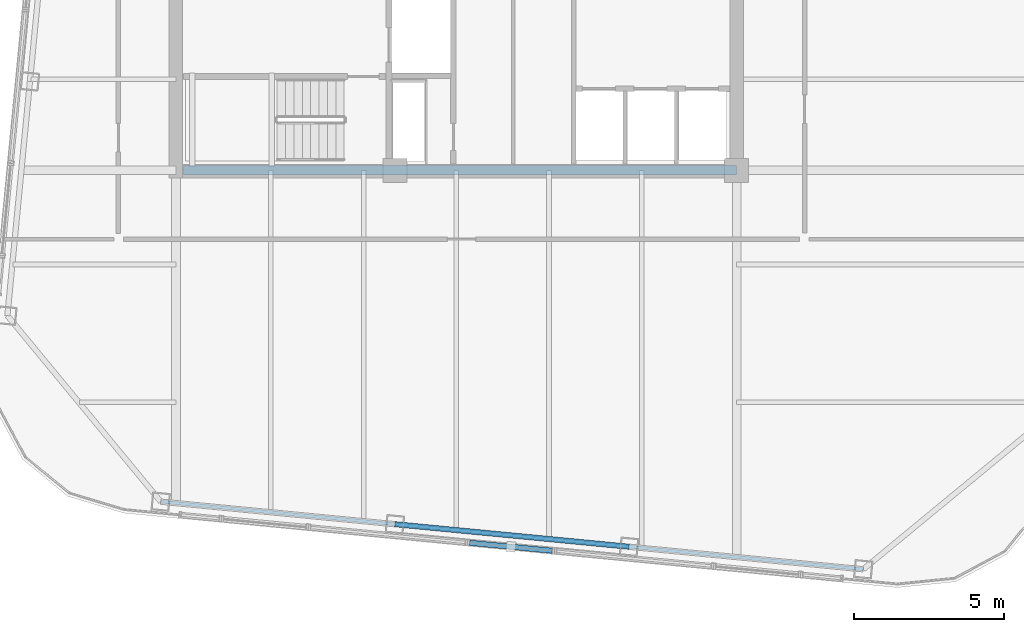
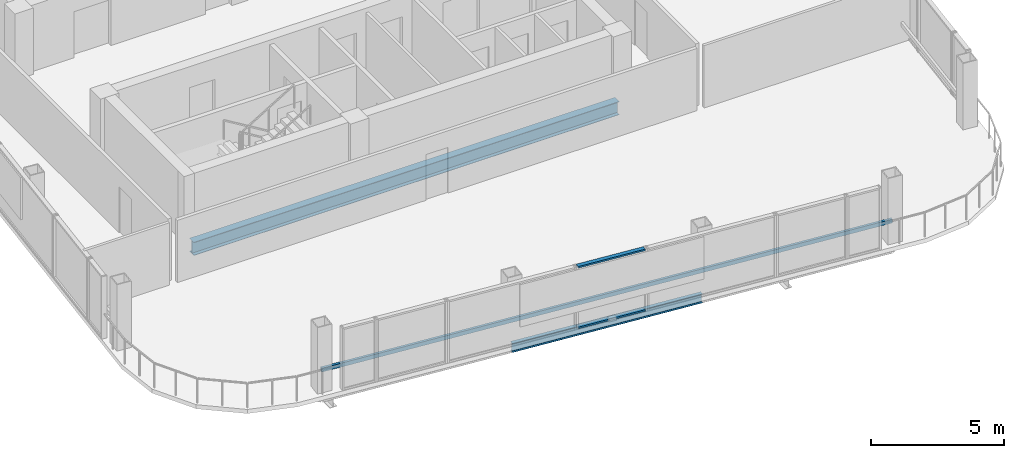
# One storey, part 4 of 26: 3 members, 2 beams, 1 element without a shape of its own.
"""IFC4 building model written with IfcOpenShell, lengths in metres."""

from ifc_helpers import new_model, si_unit, direction, frame, origin, origin_2d, place, context, subcontext, project, spatial, hollow_rectangle, i_section, extrude, material, layer, layer_set, material_profile, profile_set, type_object, element, aggregate, save


model = new_model("IFC4")

# Units and contexts
model_context = context("Model", 3, precision=1e-05, world=origin(), true_north=direction((0.0, 1.0)))
body_context = subcontext(model_context, "Body", "Model", "MODEL_VIEW")
ifc_project = project(units=[si_unit("LENGTHUNIT", "METRE"), si_unit("AREAUNIT", "SQUARE_METRE"), si_unit("VOLUMEUNIT", "CUBIC_METRE"), si_unit("PLANEANGLEUNIT", "RADIAN"), si_unit("MASSUNIT", "GRAM", prefix="KILO")], contexts=[model_context])

# Site, building, storey
site_placement = place(None, origin())
site = spatial("IfcSite", under=ifc_project, at=site_placement, CompositionType="ELEMENT")
building_placement = place(site_placement, origin())
building = spatial("IfcBuilding", under=site, at=building_placement, Name="Qhalaya Broadcast Tower", CompositionType="ELEMENT")
storey_placement = place(building_placement, frame((0.0, 0.0, 248.949951171875)))
storey = spatial("IfcBuildingStorey", under=building, at=storey_placement, Name="L73", CompositionType="ELEMENT", Elevation=248.949951171875)

# Beam
ifc_material_1 = material(Name="Structural Steel ASTM A992 Grade 50", Category="steel")
ifc_material_profile_1 = material_profile(ifc_material_1, i_section(OverallWidth=0.323974609375, OverallDepth=0.612060546875, WebThickness=0.0126953125, FlangeThickness=0.01904296875, at=origin_2d()), Name="W24X104")
ifc_profile_set_1 = profile_set([ifc_material_profile_1], Name="Structural Steel ASTM A992 Grade 50")
beam_type_1 = type_object("IfcBeamType", Name="Core Frame Tie Beam B04", PredefinedType="BEAM", material=ifc_profile_set_1)
beam_1_placement = place(storey_placement, frame((-9.1201171875, -8.75, -0.495849609375), z_axis=(1.0, 0.0, 0.0), x_axis=(0.0, 1.0, 0.0)))
element("IfcBeam", 1, at=beam_1_placement, inside=storey, type_object=beam_type_1, Name="L73 B04 L73-CCS3", PredefinedType="BEAM", context=body_context, shape_type="SweptSolid", body=[
    extrude(i_section(OverallWidth=0.323974609375, OverallDepth=0.612060546875, WebThickness=0.0126953125, FlangeThickness=0.01904296875, at=origin_2d()), origin(), (0.0, 0.0, 1.0), 18.4951171875),
])

# Member
ifc_material_2 = material(Name="Fired Architectural Terracotta", Category="masonry")
ifc_material_profile_2 = material_profile(ifc_material_2, hollow_rectangle(XDim=0.110107421875, YDim=0.179931640625, WallThickness=0.01806640625, at=origin_2d()), Name="TB-BAG 110x180x18")
ifc_profile_set_2 = profile_set([ifc_material_profile_2], Name="Fired Architectural Terracotta")
member_type_1 = type_object("IfcMemberType", Name="Fired Terracotta Facade Baguette Member TB1", PredefinedType="USERDEFINED", material=ifc_profile_set_2)
member_1_placement = place(storey_placement, frame((-9.883056640625, -19.82861328125, 0.858154296875), z_axis=(0.995397213397, -0.095835210452, 0.0), x_axis=(0.095835210452, 0.995397213397, 0.0)))
element("IfcMember", 2, at=member_1_placement, inside=storey, type_object=member_type_1, Name="L73 Terracotta Baguette Feature Rail S", ObjectType="BAGUETTE", PredefinedType="USERDEFINED", context=body_context, shape_type="SweptSolid", body=[
    extrude(hollow_rectangle(XDim=0.110107421875, YDim=0.179931640625, WallThickness=0.01806640625, at=origin_2d()), origin(), (0.0, 0.0, 1.0), 23.60009765625),
])

# Curtain wall, members
ifc_material_3 = material(Name="Solar-Control Low-E Triple Glazing", Category="glass")
ifc_layer = layer(ifc_material_3, 0.219970703125, Name="Solar-Control Low-E Triple Glazing")
ifc_layer_set = layer_set([ifc_layer], Name="Solar-Control Low-E Triple Glazing")
curtain_wall_type = type_object("IfcCurtainWallType", Name="High-Altitude Upper-Shaft Triple Low-E Curtain Wall CW-04", PredefinedType="NOTDEFINED", material=ifc_layer_set)
curtain_wall_placement = place(storey_placement, origin())
curtain_wall = element("IfcCurtainWall", 3, at=curtain_wall_placement, inside=storey, type_object=curtain_wall_type, Name="L73 Unitised Curtain Wall L73-CW-S4", PredefinedType="NOTDEFINED")
ifc_material_4 = material(Name="Anodised Aluminium 6063-T6", Category="aluminium")
ifc_material_profile_3 = material_profile(ifc_material_4, hollow_rectangle(XDim=0.074951171875, YDim=0.179931640625, WallThickness=0.00390625, at=origin_2d()), Name="ALU-TRN 75x180x4")
ifc_profile_set_3 = profile_set([ifc_material_profile_3], Name="Anodised Aluminium 6063-T6")
member_type_2 = type_object("IfcMemberType", Name="Unitised Curtain-Wall Transom T01", PredefinedType="USERDEFINED", material=ifc_profile_set_3)
member_2_placement = place(storey_placement, frame((0.445556640625, -21.204833984375, 0.03759765625), z_axis=(0.995396442999, -0.095843211886, 0.0), x_axis=(0.0, 0.0, 1.0)))
member_2 = element("IfcMember", 4, at=member_2_placement, type_object=member_type_2, Name="CW-04 transom 1.1", ObjectType="TRANSOM", PredefinedType="USERDEFINED", context=body_context, shape_type="SweptSolid", body=[
    extrude(hollow_rectangle(XDim=0.074951171875, YDim=0.179931640625, WallThickness=0.00390625, at=origin_2d()), origin(), (0.0, 0.0, 1.0), 2.77392578125),
])
member_3_placement = place(storey_placement, frame((0.445556640625, -21.204833984375, 2.822509765625), z_axis=(0.995396442999, -0.095843211886, 0.0), x_axis=(0.0, 0.0, 1.0)))
member_3 = element("IfcMember", 5, at=member_3_placement, type_object=member_type_2, Name="CW-04 transom 1.2", ObjectType="TRANSOM", PredefinedType="USERDEFINED", context=body_context, shape_type="SweptSolid", body=[
    extrude(hollow_rectangle(XDim=0.074951171875, YDim=0.179931640625, WallThickness=0.00390625, at=origin_2d()), origin(), (0.0, 0.0, 1.0), 2.77392578125),
])
aggregate(curtain_wall, [member_2, member_3])

# Beam
ifc_material_profile_4 = material_profile(ifc_material_1, i_section(OverallWidth=0.177978515625, OverallDepth=0.406005859375, WebThickness=0.0078125, FlangeThickness=0.0126953125, at=origin_2d()), Name="W16X40")
ifc_profile_set_4 = profile_set([ifc_material_profile_4], Name="Structural Steel ASTM A992 Grade 50")
beam_type_2 = type_object("IfcBeamType", Name="Upper Perimeter Spandrel Beam SP2", PredefinedType="SPANDREL", material=ifc_profile_set_4)
beam_2_placement = place(storey_placement, frame((-2.052490234375, -20.58251953125, -0.39306640625), z_axis=(0.995397023367, -0.095837184179, 0.0), x_axis=(0.095837184179, 0.995397023367, 0.0)))
element("IfcBeam", 6, at=beam_2_placement, inside=storey, type_object=beam_type_2, Name="L73 SP2 L73-SPR-02", PredefinedType="SPANDREL", context=body_context, shape_type="SweptSolid", body=[
    extrude(i_section(OverallWidth=0.177978515625, OverallDepth=0.406005859375, WebThickness=0.0078125, FlangeThickness=0.0126953125, at=origin_2d()), origin(), (0.0, 0.0, 1.0), 7.866455078125),
])

save(model, "model.ifc")
